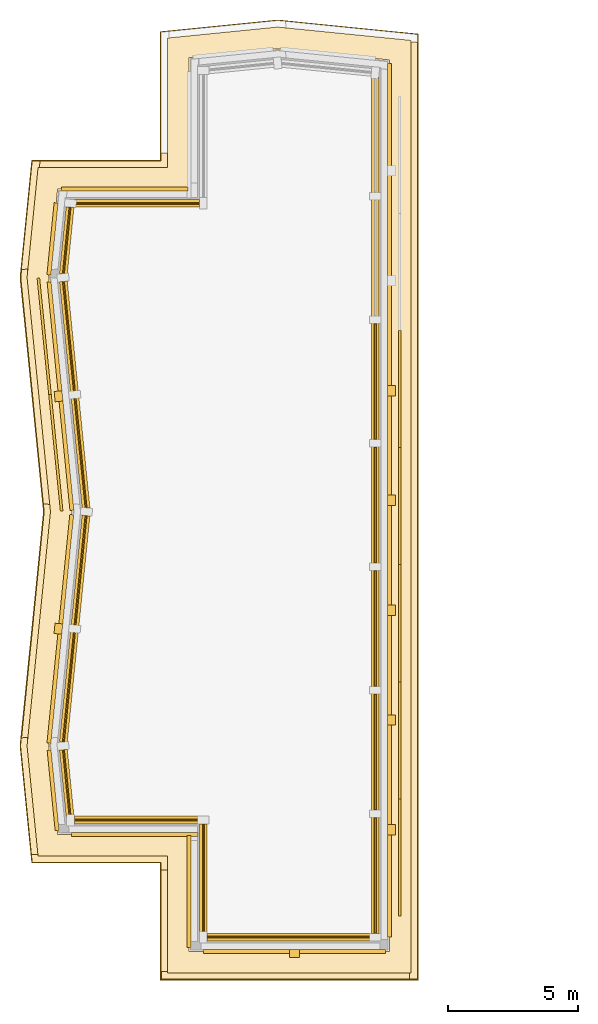
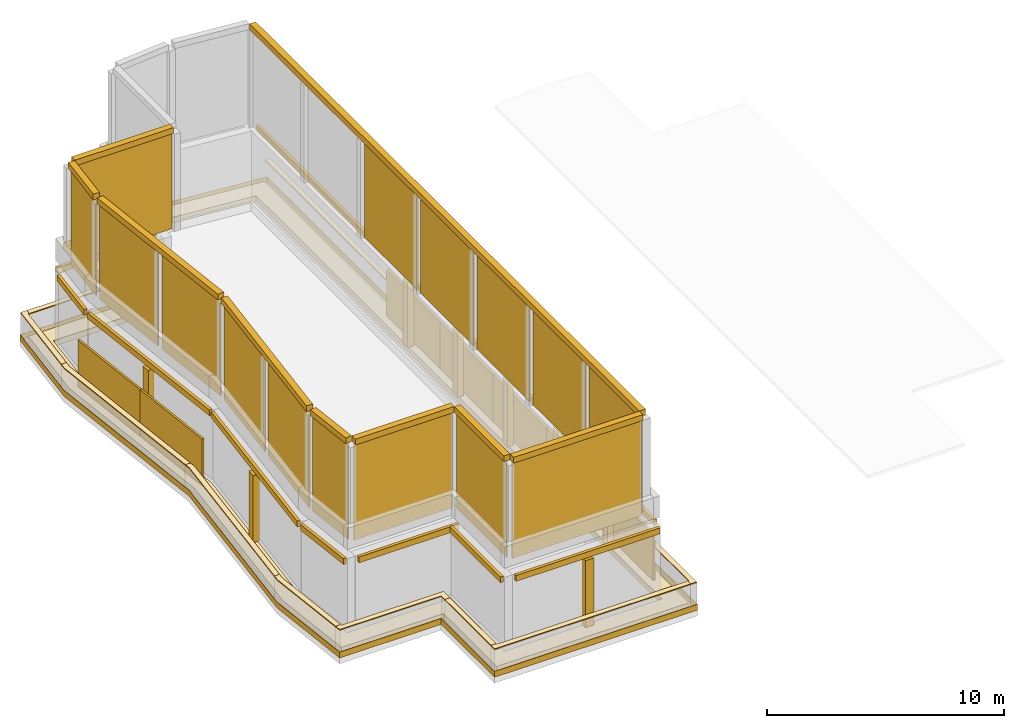
# One storey, part 3 of 4: 59 coverings.
"""IFC4 building model written with IfcOpenShell, lengths in metres."""

from ifc_helpers import new_model, si_unit, direction, frame, origin, origin_2d, place, context, subcontext, project, spatial, polyline, rectangle, outline, extrude, material, layer, layer_set, material_profile, profile_set, type_object, element, save


model = new_model("IFC4")

# Units and contexts
model_context = context("Model", 3, precision=1e-05, world=origin(), true_north=direction((0.0, 1.0)))
body_context = subcontext(model_context, "Body", "Model", "MODEL_VIEW")
ifc_project = project(units=[si_unit("LENGTHUNIT", "METRE"), si_unit("AREAUNIT", "SQUARE_METRE"), si_unit("VOLUMEUNIT", "CUBIC_METRE"), si_unit("PLANEANGLEUNIT", "RADIAN"), si_unit("MASSUNIT", "GRAM", prefix="KILO")], contexts=[model_context])

# Site, building, storey
site_placement = place(None, origin())
site = spatial("IfcSite", under=ifc_project, at=site_placement, CompositionType="ELEMENT")
building_placement = place(site_placement, origin())
building = spatial("IfcBuilding", under=site, at=building_placement, Name="Brondeck Convention Tower", CompositionType="ELEMENT")
storey_placement = place(building_placement, frame((0.0, 0.0, 310.800048828125)))
storey = spatial("IfcBuildingStorey", under=building, at=storey_placement, Name="ROOF 1", CompositionType="ELEMENT", Elevation=310.800048828125)

# Coverings
ifc_material_1 = material(Name="Precast concrete C50/60", Category="concrete")
ifc_material_profile = material_profile(ifc_material_1, rectangle(XDim=0.300048828125, YDim=0.300048828125, at=origin_2d()), Name="Crown cap 300 x 300 Precast concrete C50/60")
ifc_profile_set = profile_set([ifc_material_profile], Name="Precast concrete C50/60")
covering_type_1 = type_object("IfcCoveringType", Name="Crown cap 300 x 300 Precast concrete C50/60", PredefinedType="MOLDING", material=ifc_profile_set)
covering_1_placement = place(storey_placement, frame((6.294921875, 28.64501953125, 9.64990234375), z_axis=(1.0, 0.0, 0.0), x_axis=(0.0, 1.0, 0.0)))
element("IfcCovering", 1, at=covering_1_placement, inside=storey, type_object=covering_type_1, Name="ENV-CB-K1-T1-00", PredefinedType="MOLDING", context=body_context, shape_type="SweptSolid", body=[
    extrude(rectangle(XDim=0.300048828125, YDim=0.300048828125, at=origin_2d()), origin(), (0.0, 0.0, 1.0), 6.31005859375),
])
covering_2_placement = place(storey_placement, frame((12.7548828125, 28.794921875, 9.64990234375), z_axis=(0.0, 1.0, 0.0), x_axis=(-1.0, 0.0, 0.0)))
element("IfcCovering", 2, at=covering_2_placement, inside=storey, type_object=covering_type_1, Name="ENV-CB-K1-T1-01", PredefinedType="MOLDING", context=body_context, shape_type="SweptSolid", body=[
    extrude(rectangle(XDim=0.300048828125, YDim=0.300048828125, at=origin_2d()), origin(), (0.0, 0.0, 1.0), 32.92626953125),
])
covering_3_placement = place(storey_placement, frame((5.9951171875, 56.85498046875, 9.64990234375), z_axis=(-1.0, 0.0, 0.0), x_axis=(0.0, -1.0, 0.0)))
element("IfcCovering", 3, at=covering_3_placement, inside=storey, type_object=covering_type_1, Name="ENV-CB-K1-T1-05", PredefinedType="MOLDING", context=body_context, shape_type="SweptSolid", body=[
    extrude(rectangle(XDim=0.300048828125, YDim=0.300048828125, at=origin_2d()), origin(), (0.0, 0.0, 1.0), 4.806396484375),
])
covering_4_placement = place(storey_placement, frame((1.023681640625, 56.705810546875, 9.64990234375), z_axis=(-0.099494310304, -0.995038131037, 0.0), x_axis=(0.995038131037, -0.099494310304, 0.0)))
element("IfcCovering", 4, at=covering_4_placement, inside=storey, type_object=covering_type_1, Name="ENV-CB-K1-T1-06", PredefinedType="MOLDING", context=body_context, shape_type="SweptSolid", body=[
    extrude(rectangle(XDim=0.300048828125, YDim=0.300048828125, at=origin_2d()), origin(), (0.0, 0.0, 1.0), 2.569091796875),
])
for number, where, z_axis, x_axis, name in (
    (5, (0.76806640625, 53.8505859375, 9.64990234375), (0.099503719021, -0.99503719021, 0.0), (0.99503719021, 0.099503719021, 0.0), "ENV-CB-K1-T1-07"),
    (6, (1.63818359375, 44.8505859375, 9.64990234375), (-0.099503719021, -0.99503719021, 0.0), (0.99503719021, -0.099503719021, 0.0), "ENV-CB-K1-T1-08"),
):
    element("IfcCovering", number, at=place(storey_placement, frame(where, z_axis=z_axis, x_axis=x_axis)), inside=storey, type_object=covering_type_1, Name=name, PredefinedType="MOLDING", context=body_context, shape_type="SweptSolid", body=[
        extrude(rectangle(XDim=0.300048828125, YDim=0.300048828125, at=origin_2d()), origin(), (0.0, 0.0, 1.0), 8.74462890625),
    ])
covering_5_placement = place(storey_placement, frame((0.76806640625, 35.8505859375, 9.64990234375), z_axis=(0.099494310304, -0.995038131037, 0.0), x_axis=(0.995038131037, 0.099494310304, 0.0)))
element("IfcCovering", 7, at=covering_5_placement, inside=storey, type_object=covering_type_1, Name="ENV-CB-K1-T1-09", PredefinedType="MOLDING", context=body_context, shape_type="SweptSolid", body=[
    extrude(rectangle(XDim=0.300048828125, YDim=0.300048828125, at=origin_2d()), origin(), (0.0, 0.0, 1.0), 2.569091796875),
])
covering_6_placement = place(storey_placement, frame((1.188720703125, 33.14501953125, 9.64990234375), z_axis=(1.0, 0.0, 0.0), x_axis=(0.0, 1.0, 0.0)))
element("IfcCovering", 8, at=covering_6_placement, inside=storey, type_object=covering_type_1, Name="ENV-CB-K1-T1-10", PredefinedType="MOLDING", context=body_context, shape_type="SweptSolid", body=[
    extrude(rectangle(XDim=0.300048828125, YDim=0.300048828125, at=origin_2d()), origin(), (0.0, 0.0, 1.0), 4.806396484375),
])
covering_7_placement = place(storey_placement, frame((6.14501953125, 32.9951171875, 9.64990234375), z_axis=(0.0, -1.0, 0.0), x_axis=(1.0, 0.0, 0.0)))
element("IfcCovering", 9, at=covering_7_placement, inside=storey, type_object=covering_type_1, Name="ENV-CB-K1-T1-11", PredefinedType="MOLDING", context=body_context, shape_type="SweptSolid", body=[
    extrude(rectangle(XDim=0.300048828125, YDim=0.300048828125, at=origin_2d()), origin(), (0.0, 0.0, 1.0), 4.2001953125),
])
ifc_material_2 = material(Name="Aluminium, bronze anodised", Category="aluminium")
ifc_layer_1 = layer(ifc_material_2, 0.06005859375)
ifc_layer_set_1 = layer_set([ifc_layer_1], Name="Crown louvre panel, bronze anodised aluminium")
covering_type_2 = type_object("IfcCoveringType", Name="Crown louvre panel, bronze anodised aluminium", PredefinedType="CLADDING", material=ifc_layer_set_1)
covering_8_placement = place(storey_placement, frame((0.0, 0.0, 4.52001953125)))
element("IfcCovering", 10, at=covering_8_placement, inside=storey, type_object=covering_type_2, Name="ENV-CL-K1-T1-00-0", PredefinedType="CLADDING", context=body_context, shape_type="SweptSolid", body=[
    extrude(outline(polyline([(12.60498046875, 28.675048828125), (6.294921875, 28.675048828125), (6.294921875, 28.614990234375), (12.60498046875, 28.614990234375), (12.60498046875, 28.675048828125)])), origin(), (0.0, 0.0, 1.0), 4.97998046875),
])
covering_9_placement = place(storey_placement, frame((0.0, 0.0, 4.52001953125)))
element("IfcCovering", 11, at=covering_9_placement, inside=storey, type_object=covering_type_2, Name="ENV-CL-K1-T1-01-0", PredefinedType="CLADDING", context=body_context, shape_type="SweptSolid", body=[
    extrude(outline(polyline([(12.72509765625, 33.24169921875), (12.72509765625, 28.794921875), (12.784912109375, 28.794921875), (12.784912109375, 33.24169921875), (12.72509765625, 33.24169921875)])), origin(), (0.0, 0.0, 1.0), 4.97998046875),
])
covering_10_placement = place(storey_placement, frame((0.0, 0.0, 4.52001953125)))
element("IfcCovering", 12, at=covering_10_placement, inside=storey, type_object=covering_type_2, Name="ENV-CL-K1-T1-01-1", PredefinedType="CLADDING", context=body_context, shape_type="SweptSolid", body=[
    extrude(outline(polyline([(12.72509765625, 37.98828125), (12.72509765625, 33.54150390625), (12.784912109375, 33.54150390625), (12.784912109375, 37.98828125), (12.72509765625, 37.98828125)])), origin(), (0.0, 0.0, 1.0), 4.97998046875),
])
covering_11_placement = place(storey_placement, frame((0.0, 0.0, 4.52001953125)))
element("IfcCovering", 13, at=covering_11_placement, inside=storey, type_object=covering_type_2, Name="ENV-CL-K1-T1-01-2", PredefinedType="CLADDING", context=body_context, shape_type="SweptSolid", body=[
    extrude(outline(polyline([(12.72509765625, 42.73486328125), (12.72509765625, 38.2880859375), (12.784912109375, 38.2880859375), (12.784912109375, 42.73486328125), (12.72509765625, 42.73486328125)])), origin(), (0.0, 0.0, 1.0), 4.97998046875),
])
covering_12_placement = place(storey_placement, frame((0.0, 0.0, 4.52001953125)))
element("IfcCovering", 14, at=covering_12_placement, inside=storey, type_object=covering_type_2, Name="ENV-CL-K1-T1-01-3", PredefinedType="CLADDING", context=body_context, shape_type="SweptSolid", body=[
    extrude(outline(polyline([(12.72509765625, 47.4814453125), (12.72509765625, 43.034912109375), (12.784912109375, 43.034912109375), (12.784912109375, 47.4814453125), (12.72509765625, 47.4814453125)])), origin(), (0.0, 0.0, 1.0), 4.97998046875),
])
covering_13_placement = place(storey_placement, frame((0.0, 0.0, 4.52001953125)))
element("IfcCovering", 15, at=covering_13_placement, inside=storey, type_object=covering_type_2, Name="ENV-CL-K1-T1-01-4", PredefinedType="CLADDING", context=body_context, shape_type="SweptSolid", body=[
    extrude(outline(polyline([(12.72509765625, 52.22802734375), (12.72509765625, 47.781494140625), (12.784912109375, 47.781494140625), (12.784912109375, 52.22802734375), (12.72509765625, 52.22802734375)])), origin(), (0.0, 0.0, 1.0), 4.97998046875),
])
covering_14_placement = place(storey_placement, frame((0.0, 0.0, 4.52001953125)))
element("IfcCovering", 16, at=covering_14_placement, inside=storey, type_object=covering_type_2, Name="ENV-CL-K1-T1-05-0", PredefinedType="CLADDING", context=body_context, shape_type="SweptSolid", body=[
    extrude(outline(polyline([(1.188720703125, 56.824951171875), (5.9951171875, 56.824951171875), (5.9951171875, 56.885009765625), (1.188720703125, 56.885009765625), (1.188720703125, 56.824951171875)])), origin(), (0.0, 0.0, 1.0), 4.97998046875),
])
covering_15_placement = place(storey_placement, frame((0.0, 0.0, 4.52001953125)))
element("IfcCovering", 17, at=covering_15_placement, inside=storey, type_object=covering_type_2, Name="ENV-CL-K1-T1-06-0", PredefinedType="CLADDING", context=body_context, shape_type="SweptSolid", body=[
    extrude(outline(polyline([(0.798095703125, 54.146240234375), (1.0537109375, 56.702880859375), (0.993896484375, 56.708740234375), (0.73828125, 54.152099609375), (0.798095703125, 54.146240234375)])), origin(), (0.0, 0.0, 1.0), 4.97998046875),
])
covering_16_placement = place(storey_placement, frame((0.0, 0.0, 4.52001953125)))
element("IfcCovering", 18, at=covering_16_placement, inside=storey, type_object=covering_type_2, Name="ENV-CL-K1-T1-07-0", PredefinedType="CLADDING", context=body_context, shape_type="SweptSolid", body=[
    extrude(outline(polyline([(1.218017578125, 49.652099609375), (0.798095703125, 53.853759765625), (0.73828125, 53.847900390625), (1.158447265625, 49.646240234375), (1.218017578125, 49.652099609375)])), origin(), (0.0, 0.0, 1.0), 4.97998046875),
])
covering_17_placement = place(storey_placement, frame((0.0, 0.0, 4.52001953125)))
element("IfcCovering", 19, at=covering_17_placement, inside=storey, type_object=covering_type_2, Name="ENV-CL-K1-T1-07-1", PredefinedType="CLADDING", context=body_context, shape_type="SweptSolid", body=[
    extrude(outline(polyline([(1.668212890625, 45.152099609375), (1.248046875, 49.353759765625), (1.188232421875, 49.347900390625), (1.6083984375, 45.146240234375), (1.668212890625, 45.152099609375)])), origin(), (0.0, 0.0, 1.0), 4.97998046875),
])
covering_18_placement = place(storey_placement, frame((0.0, 0.0, 4.52001953125)))
element("IfcCovering", 20, at=covering_18_placement, inside=storey, type_object=covering_type_2, Name="ENV-CL-K1-T1-08-0", PredefinedType="CLADDING", context=body_context, shape_type="SweptSolid", body=[
    extrude(outline(polyline([(1.248046875, 40.646240234375), (1.668212890625, 44.847900390625), (1.6083984375, 44.853759765625), (1.188232421875, 40.652099609375), (1.248046875, 40.646240234375)])), origin(), (0.0, 0.0, 1.0), 4.97998046875),
])
covering_19_placement = place(storey_placement, frame((0.0, 0.0, 4.52001953125)))
element("IfcCovering", 21, at=covering_19_placement, inside=storey, type_object=covering_type_2, Name="ENV-CL-K1-T1-08-1", PredefinedType="CLADDING", context=body_context, shape_type="SweptSolid", body=[
    extrude(outline(polyline([(0.798095703125, 36.146240234375), (1.218017578125, 40.347900390625), (1.158447265625, 40.353759765625), (0.73828125, 36.152099609375), (0.798095703125, 36.146240234375)])), origin(), (0.0, 0.0, 1.0), 4.97998046875),
])
covering_20_placement = place(storey_placement, frame((0.0, 0.0, 4.52001953125)))
element("IfcCovering", 22, at=covering_20_placement, inside=storey, type_object=covering_type_2, Name="ENV-CL-K1-T1-09-0", PredefinedType="CLADDING", context=body_context, shape_type="SweptSolid", body=[
    extrude(outline(polyline([(1.0537109375, 33.297119140625), (0.798095703125, 35.853759765625), (0.73828125, 35.847900390625), (0.993896484375, 33.291259765625), (1.0537109375, 33.297119140625)])), origin(), (0.0, 0.0, 1.0), 4.97998046875),
])
covering_21_placement = place(storey_placement, frame((0.0, 0.0, 4.52001953125)))
element("IfcCovering", 23, at=covering_21_placement, inside=storey, type_object=covering_type_2, Name="ENV-CL-K1-T1-10-0", PredefinedType="CLADDING", context=body_context, shape_type="SweptSolid", body=[
    extrude(outline(polyline([(5.9951171875, 33.175048828125), (1.188720703125, 33.175048828125), (1.188720703125, 33.114990234375), (5.9951171875, 33.114990234375), (5.9951171875, 33.175048828125)])), origin(), (0.0, 0.0, 1.0), 4.97998046875),
])
covering_22_placement = place(storey_placement, frame((0.0, 0.0, 4.52001953125)))
element("IfcCovering", 24, at=covering_22_placement, inside=storey, type_object=covering_type_2, Name="ENV-CL-K1-T1-11-0", PredefinedType="CLADDING", context=body_context, shape_type="SweptSolid", body=[
    extrude(outline(polyline([(6.175048828125, 28.794921875), (6.175048828125, 32.9951171875), (6.114990234375, 32.9951171875), (6.114990234375, 28.794921875), (6.175048828125, 28.794921875)])), origin(), (0.0, 0.0, 1.0), 4.97998046875),
])
ifc_material_3 = material(Name="Precast concrete C50/60 bronze finish", Category="concrete")
ifc_layer_2 = layer(ifc_material_3, 0.300048828125)
ifc_layer_set_2 = layer_set([ifc_layer_2], Name="Crown pilaster 400x300")
covering_type_3 = type_object("IfcCoveringType", Name="Crown pilaster 400x300", PredefinedType="CLADDING", material=ifc_layer_set_2)
covering_23_placement = place(storey_placement, frame((0.0, 0.0, 0.300048828125)))
element("IfcCovering", 25, at=covering_23_placement, inside=storey, type_object=covering_type_3, Name="ENV-CP-K1-T1-01-01", PredefinedType="CLADDING", context=body_context, shape_type="SweptSolid", body=[
    extrude(outline(polyline([(9.449951171875, 27.8701171875), (9.85009765625, 27.8701171875), (9.85009765625, 28.169921875), (9.449951171875, 28.169921875), (9.449951171875, 27.8701171875)])), origin(), (0.0, 0.0, 1.0), 3.449951171875),
])
covering_24_placement = place(storey_placement, frame((0.0, 0.0, 0.300048828125)))
element("IfcCovering", 26, at=covering_24_placement, inside=storey, type_object=covering_type_3, Name="ENV-CP-K1-T1-02-03", PredefinedType="CLADDING", context=body_context, shape_type="SweptSolid", body=[
    extrude(outline(polyline([(13.530029296875, 49.455810546875), (13.530029296875, 49.855712890625), (13.22998046875, 49.855712890625), (13.22998046875, 49.455810546875), (13.530029296875, 49.455810546875)])), origin(), (0.0, 0.0, 1.0), 3.449951171875),
])
covering_25_placement = place(storey_placement, frame((0.0, 0.0, 0.300048828125)))
element("IfcCovering", 27, at=covering_25_placement, inside=storey, type_object=covering_type_3, Name="ENV-CP-K1-T1-02-04", PredefinedType="CLADDING", context=body_context, shape_type="SweptSolid", body=[
    extrude(outline(polyline([(13.530029296875, 45.234619140625), (13.530029296875, 45.634765625), (13.22998046875, 45.634765625), (13.22998046875, 45.234619140625), (13.530029296875, 45.234619140625)])), origin(), (0.0, 0.0, 1.0), 3.449951171875),
])
covering_26_placement = place(storey_placement, frame((0.0, 0.0, 0.300048828125)))
element("IfcCovering", 28, at=covering_26_placement, inside=storey, type_object=covering_type_3, Name="ENV-CP-K1-T1-02-05", PredefinedType="CLADDING", context=body_context, shape_type="SweptSolid", body=[
    extrude(outline(polyline([(13.530029296875, 41.013427734375), (13.530029296875, 41.41357421875), (13.22998046875, 41.41357421875), (13.22998046875, 41.013427734375), (13.530029296875, 41.013427734375)])), origin(), (0.0, 0.0, 1.0), 3.449951171875),
])
covering_27_placement = place(storey_placement, frame((0.0, 0.0, 0.300048828125)))
element("IfcCovering", 29, at=covering_27_placement, inside=storey, type_object=covering_type_3, Name="ENV-CP-K1-T1-02-06", PredefinedType="CLADDING", context=body_context, shape_type="SweptSolid", body=[
    extrude(outline(polyline([(13.530029296875, 36.792236328125), (13.530029296875, 37.1923828125), (13.22998046875, 37.1923828125), (13.22998046875, 36.792236328125), (13.530029296875, 36.792236328125)])), origin(), (0.0, 0.0, 1.0), 3.449951171875),
])
covering_28_placement = place(storey_placement, frame((0.0, 0.0, 0.300048828125)))
element("IfcCovering", 30, at=covering_28_placement, inside=storey, type_object=covering_type_3, Name="ENV-CP-K1-T1-02-07", PredefinedType="CLADDING", context=body_context, shape_type="SweptSolid", body=[
    extrude(outline(polyline([(13.530029296875, 32.5712890625), (13.530029296875, 32.97119140625), (13.22998046875, 32.97119140625), (13.22998046875, 32.5712890625), (13.530029296875, 32.5712890625)])), origin(), (0.0, 0.0, 1.0), 3.449951171875),
])
covering_29_placement = place(storey_placement, frame((0.0, 0.0, 0.300048828125)))
element("IfcCovering", 31, at=covering_29_placement, inside=storey, type_object=covering_type_3, Name="ENV-CP-K1-T1-08-01", PredefinedType="CLADDING", context=body_context, shape_type="SweptSolid", body=[
    extrude(outline(polyline([(0.412353515625, 49.620361328125), (0.4521484375, 49.222412109375), (0.75048828125, 49.252197265625), (0.710693359375, 49.650146484375), (0.412353515625, 49.620361328125)])), origin(), (0.0, 0.0, 1.0), 3.449951171875),
])
covering_30_placement = place(storey_placement, frame((0.0, 0.0, 0.300048828125)))
element("IfcCovering", 32, at=covering_30_placement, inside=storey, type_object=covering_type_3, Name="ENV-CP-K1-T1-09-01", PredefinedType="CLADDING", context=body_context, shape_type="SweptSolid", body=[
    extrude(outline(polyline([(0.44580078125, 40.7158203125), (0.406005859375, 40.31787109375), (0.70458984375, 40.2880859375), (0.744384765625, 40.68603515625), (0.44580078125, 40.7158203125)])), origin(), (0.0, 0.0, 1.0), 3.449951171875),
])
ifc_layer_3 = layer(ifc_material_3, 0.14990234375)
ifc_layer_set_3 = layer_set([ifc_layer_3], Name="Crown tier cornice, precast")
covering_type_4 = type_object("IfcCoveringType", Name="Crown tier cornice, precast", PredefinedType="MOLDING", material=ifc_layer_set_3)
covering_31_placement = place(storey_placement, frame((0.0, 0.0, 3.75)))
element("IfcCovering", 33, at=covering_31_placement, inside=storey, type_object=covering_type_4, Name="ENV-CC-K1-T1-01", PredefinedType="MOLDING", context=body_context, shape_type="SweptSolid", body=[
    extrude(outline(polyline([(6.14990234375, 28.02001953125), (13.14990234375, 28.02001953125), (13.14990234375, 28.169921875), (6.14990234375, 28.169921875), (6.14990234375, 28.02001953125)])), origin(), (0.0, 0.0, 1.0), 0.300048828125),
])
covering_32_placement = place(storey_placement, frame((0.0, 0.0, 3.75)))
element("IfcCovering", 34, at=covering_32_placement, inside=storey, type_object=covering_type_4, Name="ENV-CC-K1-T1-02", PredefinedType="MOLDING", context=body_context, shape_type="SweptSolid", body=[
    extrude(outline(polyline([(13.3798828125, 28.64990234375), (13.3798828125, 62.21923828125), (13.22998046875, 62.21923828125), (13.22998046875, 28.64990234375), (13.3798828125, 28.64990234375)])), origin(), (0.0, 0.0, 1.0), 0.300048828125),
])
covering_33_placement = place(storey_placement, frame((0.0, 0.0, 3.75)))
element("IfcCovering", 35, at=covering_33_placement, inside=storey, type_object=covering_type_4, Name="ENV-CC-K1-T1-06", PredefinedType="MOLDING", context=body_context, shape_type="SweptSolid", body=[
    extrude(outline(polyline([(5.550048828125, 57.47998046875), (0.690673828125, 57.47998046875), (0.690673828125, 57.330078125), (5.550048828125, 57.330078125), (5.550048828125, 57.47998046875)])), origin(), (0.0, 0.0, 1.0), 0.300048828125),
])
covering_34_placement = place(storey_placement, frame((0.0, 0.0, 3.75)))
element("IfcCovering", 36, at=covering_34_placement, inside=storey, type_object=covering_type_4, Name="ENV-CC-K1-T1-07", PredefinedType="MOLDING", context=body_context, shape_type="SweptSolid", body=[
    extrude(outline(polyline([(0.412841796875, 56.87841796875), (0.13623046875, 54.1123046875), (0.285400390625, 54.097412109375), (0.56201171875, 56.86328125), (0.412841796875, 56.87841796875)])), origin(), (0.0, 0.0, 1.0), 0.300048828125),
])
covering_35_placement = place(storey_placement, frame((0.0, 0.0, 3.75)))
element("IfcCovering", 37, at=covering_35_placement, inside=storey, type_object=covering_type_4, Name="ENV-CC-K1-T1-08", PredefinedType="MOLDING", context=body_context, shape_type="SweptSolid", body=[
    extrude(outline(polyline([(0.142578125, 53.825927734375), (1.0205078125, 45.046875), (1.169677734375, 45.061767578125), (0.291748046875, 53.8408203125), (0.142578125, 53.825927734375)])), origin(), (0.0, 0.0, 1.0), 0.300048828125),
])
covering_36_placement = place(storey_placement, frame((0.0, 0.0, 3.75)))
element("IfcCovering", 38, at=covering_36_placement, inside=storey, type_object=covering_type_4, Name="ENV-CC-K1-T1-09", PredefinedType="MOLDING", context=body_context, shape_type="SweptSolid", body=[
    extrude(outline(polyline([(1.014404296875, 44.8916015625), (0.13623046875, 36.1123046875), (0.285400390625, 36.097412109375), (1.16357421875, 44.876708984375), (1.014404296875, 44.8916015625)])), origin(), (0.0, 0.0, 1.0), 0.300048828125),
])
covering_37_placement = place(storey_placement, frame((0.0, 0.0, 3.75)))
element("IfcCovering", 39, at=covering_37_placement, inside=storey, type_object=covering_type_4, Name="ENV-CC-K1-T1-10", PredefinedType="MOLDING", context=body_context, shape_type="SweptSolid", body=[
    extrude(outline(polyline([(0.142578125, 35.825927734375), (0.451416015625, 32.736572265625), (0.6005859375, 32.75146484375), (0.291748046875, 35.8408203125), (0.142578125, 35.825927734375)])), origin(), (0.0, 0.0, 1.0), 0.300048828125),
])
covering_38_placement = place(storey_placement, frame((0.0, 0.0, 3.75)))
element("IfcCovering", 40, at=covering_38_placement, inside=storey, type_object=covering_type_4, Name="ENV-CC-K1-T1-11", PredefinedType="MOLDING", context=body_context, shape_type="SweptSolid", body=[
    extrude(outline(polyline([(1.07763671875, 32.52001953125), (5.949951171875, 32.52001953125), (5.949951171875, 32.669921875), (1.07763671875, 32.669921875), (1.07763671875, 32.52001953125)])), origin(), (0.0, 0.0, 1.0), 0.300048828125),
])
covering_39_placement = place(storey_placement, frame((0.0, 0.0, 3.75)))
element("IfcCovering", 41, at=covering_39_placement, inside=storey, type_object=covering_type_4, Name="ENV-CC-K1-T1-12", PredefinedType="MOLDING", context=body_context, shape_type="SweptSolid", body=[
    extrude(outline(polyline([(5.52001953125, 32.552001953125), (5.52001953125, 28.25), (5.669921875, 28.25), (5.669921875, 32.552001953125), (5.52001953125, 32.552001953125)])), origin(), (0.0, 0.0, 1.0), 0.300048828125),
])
ifc_layer_4 = layer(ifc_material_1, 0.050048828125)
ifc_layer_set_4 = layer_set([ifc_layer_4], Name="Parapet coping, precast")
covering_type_5 = type_object("IfcCoveringType", Name="Parapet coping, precast", PredefinedType="MOLDING", material=ifc_layer_set_4)
covering_40_placement = place(storey_placement, frame((0.0, 0.0, 1.39990234375)))
element("IfcCovering", 42, at=covering_40_placement, inside=storey, type_object=covering_type_5, Name="ENV-ROOF-K1-PA-01-CP", PredefinedType="MOLDING", context=body_context, shape_type="SweptSolid", body=[
    extrude(outline(polyline([(-0.210693359375, 31.820068359375), (-0.4619140625, 31.820068359375), (-0.431884765625, 31.52001953125), (4.52001953125, 31.52001953125), (4.52001953125, 31.219970703125), (4.77001953125, 31.219970703125), (4.77001953125, 31.77001953125), (-0.205810546875, 31.77001953125), (-0.210693359375, 31.820068359375)])), origin(), (0.0, 0.0, 1.0), 0.050048828125),
])
covering_41_placement = place(storey_placement, frame((0.0, 0.0, 1.39990234375)))
element("IfcCovering", 43, at=covering_41_placement, inside=storey, type_object=covering_type_5, Name="ENV-ROOF-K1-PA-02-CP", PredefinedType="MOLDING", context=body_context, shape_type="SweptSolid", body=[
    extrude(outline(polyline([(-0.603515625, 36.251220703125), (-0.611083984375, 36.328369140625), (-0.849365234375, 36.304443359375), (-0.8798828125, 36.0), (-0.4619140625, 31.821044921875), (-0.4619140625, 31.821044921875), (-0.4619140625, 31.821044921875), (-0.210693359375, 31.821044921875), (-0.628662109375, 36.0), (-0.603515625, 36.251220703125)])), origin(), (0.0, 0.0, 1.0), 0.050048828125),
])
covering_42_placement = place(storey_placement, frame((0.0, 0.0, 1.39990234375)))
element("IfcCovering", 44, at=covering_42_placement, inside=storey, type_object=covering_type_5, Name="ENV-ROOF-K1-PA-03-CP", PredefinedType="MOLDING", context=body_context, shape_type="SweptSolid", body=[
    extrude(outline(polyline([(0.271240234375, 45.0), (0.243408203125, 45.279296875), (-0.010498046875, 45.304443359375), (0.02001953125, 45.0), (-0.849365234375, 36.3056640625), (-0.611328125, 36.329345703125), (-0.611083984375, 36.329345703125), (-0.611083984375, 36.329345703125), (-0.611083984375, 36.329345703125), (-0.611083984375, 36.329345703125), (-0.61083984375, 36.329345703125), (-0.61083984375, 36.3291015625), (-0.610595703125, 36.3291015625), (-0.610595703125, 36.3291015625), (-0.610595703125, 36.3291015625), (-0.610595703125, 36.3291015625), (-0.6103515625, 36.328857421875), (-0.6103515625, 36.328857421875), (-0.6103515625, 36.32861328125), (-0.6103515625, 36.32861328125), (-0.6103515625, 36.32861328125), (-0.610107421875, 36.32861328125), (-0.60302734375, 36.25634765625), (0.271240234375, 45.0)])), origin(), (0.0, 0.0, 1.0), 0.050048828125),
])
covering_43_placement = place(storey_placement, frame((0.0, 0.0, 1.39990234375)))
element("IfcCovering", 45, at=covering_43_placement, inside=storey, type_object=covering_type_5, Name="ENV-ROOF-K1-PA-04-CP", PredefinedType="MOLDING", context=body_context, shape_type="SweptSolid", body=[
    extrude(outline(polyline([(-0.603515625, 54.251220703125), (-0.611083984375, 54.328369140625), (-0.849365234375, 54.304443359375), (-0.8798828125, 54.0), (-0.010498046875, 45.305419921875), (-0.010498046875, 45.305419921875), (-0.010498046875, 45.305419921875), (-0.01025390625, 45.305419921875), (0.243408203125, 45.2802734375), (-0.628662109375, 54.0), (-0.603515625, 54.251220703125)])), origin(), (0.0, 0.0, 1.0), 0.050048828125),
])
covering_44_placement = place(storey_placement, frame((0.0, 0.0, 1.39990234375)))
element("IfcCovering", 46, at=covering_44_placement, inside=storey, type_object=covering_type_5, Name="ENV-ROOF-K1-PA-05-CP", PredefinedType="MOLDING", context=body_context, shape_type="SweptSolid", body=[
    extrude(outline(polyline([(-0.205810546875, 58.22998046875), (-0.155517578125, 58.22998046875), (-0.13037109375, 58.47998046875), (-0.431884765625, 58.47998046875), (-0.849365234375, 54.3056640625), (-0.611328125, 54.329345703125), (-0.611083984375, 54.329345703125), (-0.611083984375, 54.329345703125), (-0.611083984375, 54.329345703125), (-0.611083984375, 54.329345703125), (-0.61083984375, 54.329345703125), (-0.61083984375, 54.3291015625), (-0.610595703125, 54.3291015625), (-0.610595703125, 54.3291015625), (-0.610595703125, 54.3291015625), (-0.610595703125, 54.3291015625), (-0.6103515625, 54.328857421875), (-0.6103515625, 54.328857421875), (-0.6103515625, 54.32861328125), (-0.6103515625, 54.32861328125), (-0.6103515625, 54.32861328125), (-0.610107421875, 54.32861328125), (-0.60302734375, 54.25634765625), (-0.205810546875, 58.22998046875)])), origin(), (0.0, 0.0, 1.0), 0.050048828125),
])
covering_45_placement = place(storey_placement, frame((0.0, 0.0, 1.39990234375)))
element("IfcCovering", 47, at=covering_45_placement, inside=storey, type_object=covering_type_5, Name="ENV-ROOF-K1-PA-06-CP", PredefinedType="MOLDING", context=body_context, shape_type="SweptSolid", body=[
    extrude(outline(polyline([(4.77001953125, 58.22998046875), (4.77001953125, 58.780029296875), (4.52001953125, 58.780029296875), (4.52001953125, 58.47998046875), (-0.12939453125, 58.47998046875), (-0.12939453125, 58.47998046875), (-0.12939453125, 58.47998046875), (-0.154296875, 58.22998046875), (4.77001953125, 58.22998046875)])), origin(), (0.0, 0.0, 1.0), 0.050048828125),
])
covering_46_placement = place(storey_placement, frame((0.0, 0.0, 1.39990234375)))
element("IfcCovering", 48, at=covering_46_placement, inside=storey, type_object=covering_type_5, Name="ENV-ROOF-K1-PA-10-CP", PredefinedType="MOLDING", context=body_context, shape_type="SweptSolid", body=[
    extrude(outline(polyline([(14.1298828125, 27.27001953125), (14.080078125, 27.27001953125), (14.080078125, 27.02001953125), (14.3798828125, 27.02001953125), (14.3798828125, 63.039306640625), (14.3798828125, 63.039306640625), (14.3798828125, 63.039306640625), (14.1298828125, 63.064453125), (14.1298828125, 27.27001953125)])), origin(), (0.0, 0.0, 1.0), 0.050048828125),
])
covering_47_placement = place(storey_placement, frame((0.0, 0.0, 1.39990234375)))
element("IfcCovering", 49, at=covering_47_placement, inside=storey, type_object=covering_type_5, Name="ENV-ROOF-K1-PA-11-CP", PredefinedType="MOLDING", context=body_context, shape_type="SweptSolid", body=[
    extrude(outline(polyline([(4.77001953125, 27.27001953125), (4.77001953125, 27.320068359375), (4.52001953125, 27.320068359375), (4.52001953125, 27.02001953125), (14.0791015625, 27.02001953125), (14.0791015625, 27.27001953125), (4.77001953125, 27.27001953125)])), origin(), (0.0, 0.0, 1.0), 0.050048828125),
])
covering_48_placement = place(storey_placement, frame((0.0, 0.0, 1.39990234375)))
element("IfcCovering", 50, at=covering_48_placement, inside=storey, type_object=covering_type_5, Name="ENV-ROOF-K1-PA-12-CP", PredefinedType="MOLDING", context=body_context, shape_type="SweptSolid", body=[
    extrude(outline(polyline([(4.77001953125, 27.321044921875), (4.77001953125, 31.218994140625), (4.52001953125, 31.218994140625), (4.52001953125, 27.321044921875), (4.77001953125, 27.321044921875)])), origin(), (0.0, 0.0, 1.0), 0.050048828125),
])
ifc_layer_5 = layer(ifc_material_2, 0.10009765625)
ifc_layer_set_5 = layer_set([ifc_layer_5], Name="Plant screen LOUVRE cladding")
covering_type_6 = type_object("IfcCoveringType", Name="Plant screen LOUVRE cladding", PredefinedType="CLADDING", material=ifc_layer_set_5)
for number, where, z_axis, x_axis, name in (
    (51, (13.699951171875, 31.71337890625, 0.300048828125), (0.0, 0.0, 1.0), (0.0, 1.0, 0.0), "ENV-ROOF-K1-LV01"),
    (52, (13.699951171875, 36.21337890625, 0.300048828125), (0.0, 0.0, 1.0), (0.0, 1.0, 0.0), "ENV-ROOF-K1-LV02"),
    (53, (13.699951171875, 40.71337890625, 0.300048828125), (0.0, 0.0, 1.0), (0.0, 1.0, 0.0), "ENV-ROOF-K1-LV03"),
    (54, (13.699951171875, 45.21337890625, 0.300048828125), (0.0, 0.0, 1.0), (0.0, 1.0, 0.0), "ENV-ROOF-K1-LV04"),
    (55, (13.699951171875, 49.71337890625, 0.300048828125), (0.0, 0.0, 1.0), (0.0, 1.0, 0.0), "ENV-ROOF-K1-LV05"),
    (56, (0.029541015625, 51.73876953125, 0.300048828125), (0.0, 0.0, 1.0), (0.0995038382, -0.995037178292, 0.0), "ENV-ROOF-K1-LV08"),
    (57, (0.477294921875, 47.26123046875, 0.300048828125), (0.0, 0.0, 1.0), (0.0995038382, -0.995037178292, 0.0), "ENV-ROOF-K1-LV09"),
):
    element("IfcCovering", number, at=place(storey_placement, frame(where, z_axis=z_axis, x_axis=x_axis)), inside=storey, type_object=covering_type_6, Name=name, PredefinedType="CLADDING", context=body_context, shape_type="SweptSolid", body=[
        extrude(rectangle(XDim=4.5, YDim=0.10009765625, at=origin_2d()), origin(), (0.0, 0.0, 1.0), 2.39990234375),
    ])
ifc_material_4 = material(Name="Bitumen membrane")
ifc_layer_6 = layer(ifc_material_4, 0.02001953125, Name="Waterproofing")
ifc_material_5 = material(Name="Mineral wool")
ifc_layer_7 = layer(ifc_material_5, 0.280029296875, Name="Insulation")
ifc_layer_set_6 = layer_set([ifc_layer_6, ifc_layer_7], Name="Roof membrane and insulation")
covering_type_7 = type_object("IfcCoveringType", Name="Roof membrane and insulation", PredefinedType="ROOFING", material=ifc_layer_set_6)
covering_49_placement = place(storey_placement, origin())
element("IfcCovering", 58, at=covering_49_placement, inside=storey, type_object=covering_type_7, Name="ENV-ROOF-K1-RF1", PredefinedType="ROOFING", context=body_context, shape_type="SweptSolid", body=[
    extrude(outline(polyline([(4.77001953125, 31.77001953125), (4.77001953125, 27.27001953125), (14.1298828125, 27.27001953125), (14.1298828125, 63.11572265625), (9.0, 63.628662109375), (4.77001953125, 63.205810546875), (4.77001953125, 58.22998046875), (-0.205810546875, 58.22998046875), (-0.628662109375, 54.0), (0.271240234375, 45.0), (-0.628662109375, 36.0), (-0.205810546875, 31.77001953125), (4.77001953125, 31.77001953125)]), holes=[polyline([(13.300048828125, 28.10009765625), (5.60009765625, 28.10009765625), (5.60009765625, 32.60009765625), (0.54541015625, 32.60009765625), (0.20556640625, 36.0), (1.10546875, 45.0), (0.20556640625, 54.0), (0.54541015625, 57.39990234375), (5.60009765625, 57.39990234375), (5.60009765625, 62.45458984375), (9.0, 62.79443359375), (13.300048828125, 62.364501953125), (13.300048828125, 28.10009765625)])]), origin(), (0.0, 0.0, 1.0), 0.300048828125),
])
covering_50_placement = place(storey_placement, origin())
element("IfcCovering", 59, at=covering_50_placement, inside=storey, type_object=covering_type_7, Name="ENV-ROOF-K1-RF2", PredefinedType="ROOFING", context=body_context, shape_type="SweptSolid", body=[
    extrude(outline(polyline([(-0.89990234375, 36.0), (-0.449951171875, 31.5), (4.5, 31.5), (4.5, 27.0), (14.39990234375, 27.0), (14.39990234375, 63.0), (14.39990234375, 63.360107421875), (9.0, 63.89990234375), (4.5, 63.449951171875), (4.5, 58.5), (-0.449951171875, 58.5), (-0.89990234375, 54.0), (0.0, 45.0), (-0.89990234375, 36.0)]), holes=[polyline([(14.3798828125, 27.02001953125), (4.52001953125, 27.02001953125), (4.52001953125, 31.52001953125), (-0.431884765625, 31.52001953125), (-0.8798828125, 36.0), (0.02001953125, 45.0), (-0.8798828125, 54.0), (-0.431884765625, 58.47998046875), (4.52001953125, 58.47998046875), (4.52001953125, 63.431884765625), (9.0, 63.8798828125), (14.3798828125, 63.341796875), (14.3798828125, 27.02001953125)])]), origin(), (0.0, 0.0, 1.0), 0.300048828125),
])

save(model, "model.ifc")
